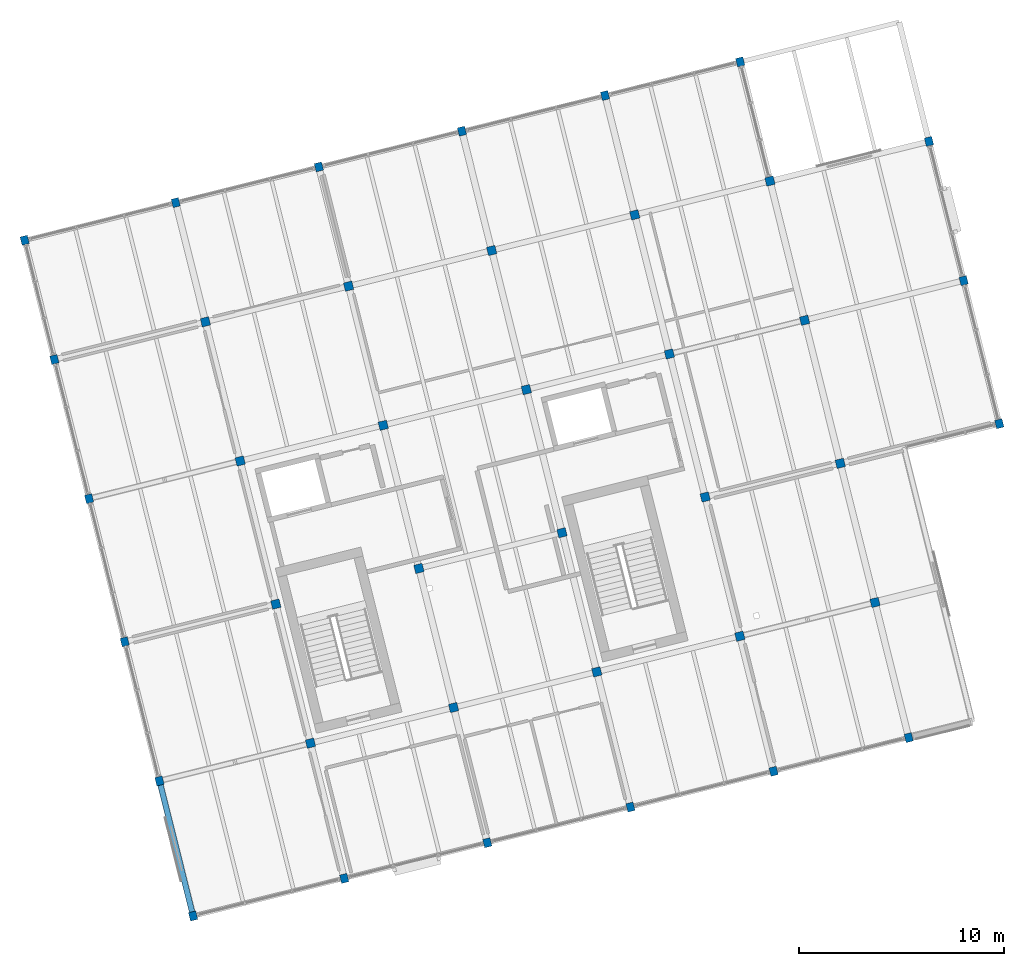
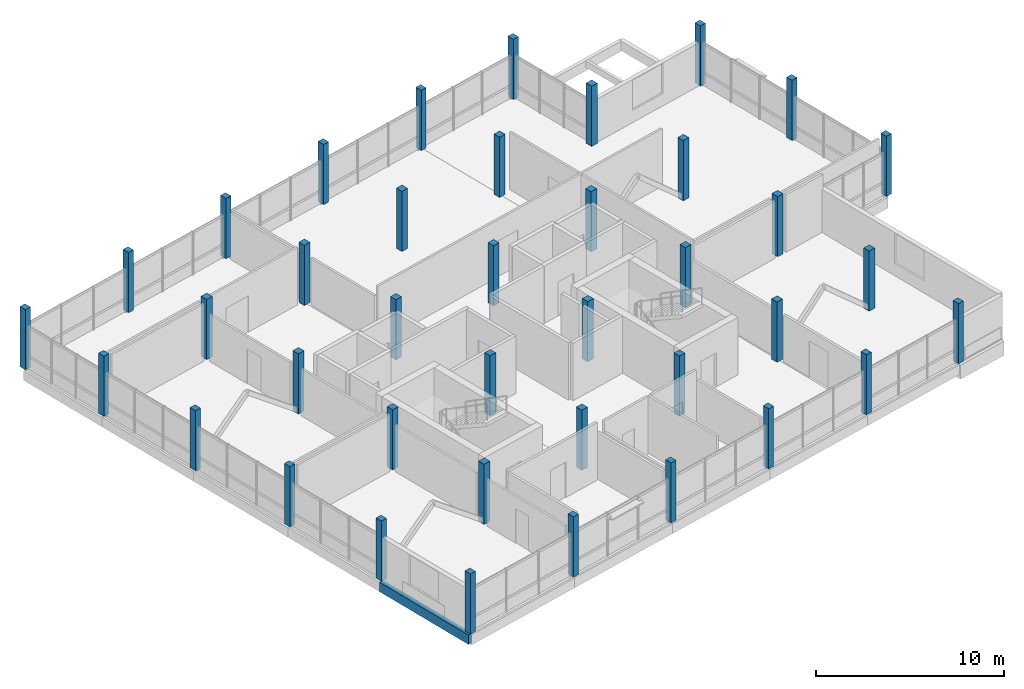
# One storey, part 1 of 27: 39 columns, 1 beam.
"""IFC4 building model written with IfcOpenShell, lengths in metres."""

import ifcopenshell
import ifcopenshell.guid

model = None  # the IFC model being written
_history = None  # IfcOwnerHistory: only IFC2X3 demands one
_inside = {}  # id of a spatial element -> (the spatial element, [elements in it])
_under = {}  # id of a project, library or spatial element -> (it, [spatial elements below it])
_declared = {}  # id of a project -> (the project, [libraries it declares])
_typed = {}  # id of a type object -> (the type object, [elements of that type])
_made_of = {}  # id of a material, layer set ... -> (it, [elements and type objects made of it])


def new_model(schema):
    """Start an empty IFC model of exactly this schema.

    Asked for "IFC4X3", IfcOpenShell would pick the latest addendum, in which some entities
    have other attributes; the version numbers below select the first issue.
    IFC2X3 requires an IfcOwnerHistory on every rooted entity: one is made here for all.
    """
    global model, _history
    if schema == "IFC4X3":
        model = ifcopenshell.file(schema_version=(4, 3, 0, 0))
    else:
        model = ifcopenshell.file(schema=schema)
    _inside.clear()
    _under.clear()
    _declared.clear()
    _typed.clear()
    _made_of.clear()
    _history = None
    if model.schema == "IFC2X3":
        org = make("IfcOrganization", Name="unknown")
        user = make(
            "IfcPersonAndOrganization",
            ThePerson=make("IfcPerson", FamilyName="unknown"),
            TheOrganization=org,
        )
        app = make(
            "IfcApplication",
            ApplicationDeveloper=org,
            Version="unknown",
            ApplicationFullName="unknown",
            ApplicationIdentifier="unknown",
        )
        _history = make(
            "IfcOwnerHistory",
            OwningUser=user,
            OwningApplication=app,
            ChangeAction="ADDED",
            CreationDate=0,
        )
    return model


def make(cls, **values):
    """One entity of the class cls with the attributes given. An attribute that is None is left unset."""
    return model.create_entity(
        cls, **{name: value for name, value in values.items() if value is not None}
    )


def rooted(cls, **values):
    """An entity with a GlobalId (a new one), such as an element, a storey or a relation."""
    return make(cls, GlobalId=ifcopenshell.guid.new(), OwnerHistory=_history, **values)


def si_unit(unit_type, name, prefix=None):
    """IfcSIUnit, for example si_unit("LENGTHUNIT", "METRE", prefix="MILLI")."""
    return make("IfcSIUnit", UnitType=unit_type, Prefix=prefix, Name=name)


def assignment(units):
    """IfcUnitAssignment: the units of a project."""
    return None if units is None else make("IfcUnitAssignment", Units=units)


def point(xyz):
    """IfcCartesianPoint."""
    return None if xyz is None else make("IfcCartesianPoint", Coordinates=xyz)


def direction(xyz):
    """IfcDirection."""
    return None if xyz is None else make("IfcDirection", DirectionRatios=xyz)


def frame(location, z_axis=None, x_axis=None):
    """IfcAxis2Placement3D, a coordinate frame: its origin and axes. An axis left out is left unset."""
    return make(
        "IfcAxis2Placement3D",
        Location=point(location),
        Axis=direction(z_axis),
        RefDirection=direction(x_axis),
    )


def frame_2d(location, x_axis=None):
    """IfcAxis2Placement2D, a coordinate frame in the plane: its origin and x axis."""
    return make(
        "IfcAxis2Placement2D", Location=point(location), RefDirection=direction(x_axis)
    )


def origin():
    """The frame at (0, 0, 0) with its axes left unset."""
    return frame((0.0, 0.0, 0.0))


def origin_2d():
    """The frame at (0, 0) in the plane with its x axis left unset."""
    return frame_2d((0.0, 0.0))


def place(relative_to, where):
    """IfcLocalPlacement: puts the frame where relative to a parent placement (None: the world)."""
    return make(
        "IfcLocalPlacement", PlacementRelTo=relative_to, RelativePlacement=where
    )


def context(
    kind, dimensions, precision=None, world=None, true_north=None, identifier=None
):
    """IfcGeometricRepresentationContext, for example the 3D "Model" context."""
    return make(
        "IfcGeometricRepresentationContext",
        ContextIdentifier=identifier,
        ContextType=kind,
        CoordinateSpaceDimension=dimensions,
        Precision=precision,
        WorldCoordinateSystem=world,
        TrueNorth=true_north,
    )


def subcontext(parent, identifier, kind, view, scale=None):
    """IfcGeometricRepresentationSubContext, for example "Body" below "Model"."""
    return make(
        "IfcGeometricRepresentationSubContext",
        ContextIdentifier=identifier,
        ContextType=kind,
        ParentContext=parent,
        TargetScale=scale,
        TargetView=view,
    )


def project(units=None, contexts=None):
    """IfcProject with its units and contexts."""
    return rooted(
        "IfcProject",
        Name="project",
        RepresentationContexts=contexts,
        UnitsInContext=assignment(units),
    )


def spatial(cls, under=None, at=None, **own):
    """A site, building, storey or space (cls), placed at a placement, below another one or the project."""
    s = rooted(cls, ObjectPlacement=at, **own)
    if under is not None:
        _under.setdefault(under.id(), (under, []))[1].append(s)
    return s


def profile(cls, at=None, kind="AREA", **sizes):
    """A parametric profile (cls). Its sizes go by their IFC names, for example OverallWidth=200.0."""
    return make(cls, ProfileType=kind, Position=at, **sizes)


def rectangle(**sizes):
    """IfcRectangleProfileDef."""
    return profile("IfcRectangleProfileDef", **sizes)


def extrude(swept, where, along, depth):
    """IfcExtrudedAreaSolid: the profile swept, set in the frame where, extruded along a direction by depth."""
    return make(
        "IfcExtrudedAreaSolid",
        SweptArea=swept,
        Position=where,
        ExtrudedDirection=direction(along),
        Depth=depth,
    )


def shape(context_of_items, identifier, shape_type, items):
    """IfcShapeRepresentation: the items that make up one representation, for example the "Body"."""
    return make(
        "IfcShapeRepresentation",
        ContextOfItems=context_of_items,
        RepresentationIdentifier=identifier,
        RepresentationType=shape_type,
        Items=items,
    )


def material(Name=None, Category=None):
    """IfcMaterial."""
    return make("IfcMaterial", Name=Name, Category=Category)


def material_profile(
    of_material, cross_section, Name=None, Category=None, Priority=None
):
    """IfcMaterialProfile: a cross section and its material."""
    return make(
        "IfcMaterialProfile",
        Name=Name,
        Material=of_material,
        Profile=cross_section,
        Priority=Priority,
        Category=Category,
    )


def profile_set(profiles, Name=None, composite=None):
    """IfcMaterialProfileSet."""
    return make(
        "IfcMaterialProfileSet",
        Name=Name,
        MaterialProfiles=profiles,
        CompositeProfile=composite,
    )


def made_of(thing, what):
    """Note that an element or type object is made of a material, layer set ...; save() writes the relation."""
    if what is not None:
        _made_of.setdefault(what.id(), (what, []))[1].append(thing)
    return thing


def type_object(cls, material=None, **own):
    """A type object (cls), such as IfcWallType, which elements share."""
    return made_of(rooted(cls, **own), material)


def element(
    cls,
    number,
    at=None,
    inside=None,
    cuts=None,
    type_object=None,
    material=None,
    context=None,
    identifier="Body",
    shape_type=None,
    held_by="IfcProductDefinitionShape",
    body=None,
    shapes=None,
    **own,
):
    """One element of the class cls, such as IfcWall. Its Tag is "e" and its number.

    at: its placement. inside: the storey or other place that contains it. cuts: it is an
    opening in that element (IfcRelVoidsElement). A single representation is given by context,
    identifier, shape_type and body (its items); several are given by shapes. held_by: the class
    of the entity that holds the representations. save() writes the other relations.
    """
    e = rooted(cls, Tag="e%d" % number, ObjectPlacement=at, **own)
    if body is not None:
        shapes = [shape(context, identifier, shape_type, body)]
    if shapes is not None:
        e.Representation = make(held_by, Representations=shapes)
    if inside is not None:
        _inside.setdefault(inside.id(), (inside, []))[1].append(e)
    if cuts is not None:
        rooted(
            "IfcRelVoidsElement", RelatingBuildingElement=cuts, RelatedOpeningElement=e
        )
    if type_object is not None:
        _typed.setdefault(type_object.id(), (type_object, []))[1].append(e)
    return made_of(e, material)


def aggregate(whole, parts):
    """IfcRelAggregates: a whole, such as a stair, and the parts it consists of."""
    return rooted("IfcRelAggregates", RelatingObject=whole, RelatedObjects=parts)


def save(model, path):
    """Write the relations noted so far, then the file.

    IfcRelAggregates (storeys below a building ...), IfcRelContainedInSpatialStructure (elements
    in a storey), IfcRelDefinesByType, IfcRelAssociatesMaterial and IfcRelDeclares: one each for
    every whole, place, type object, material and project.
    """
    for whole, parts in _under.values():
        aggregate(whole, parts)
    for where, things in _inside.values():
        rooted(
            "IfcRelContainedInSpatialStructure",
            RelatedElements=things,
            RelatingStructure=where,
        )
    for kind, things in _typed.values():
        rooted("IfcRelDefinesByType", RelatedObjects=things, RelatingType=kind)
    for what, things in _made_of.values():
        rooted("IfcRelAssociatesMaterial", RelatedObjects=things, RelatingMaterial=what)
    for by, libraries in _declared.values():
        rooted("IfcRelDeclares", RelatingContext=by, RelatedDefinitions=libraries)
    model.write(path)


model = new_model("IFC4")

# Units and contexts
model_context = context("Model", 3, precision=1e-05, world=origin(), true_north=direction((0.0, 1.0)))
body_context = subcontext(model_context, "Body", "Model", "MODEL_VIEW")
ifc_project = project(units=[si_unit("LENGTHUNIT", "METRE"), si_unit("AREAUNIT", "SQUARE_METRE"), si_unit("VOLUMEUNIT", "CUBIC_METRE"), si_unit("PLANEANGLEUNIT", "RADIAN"), si_unit("MASSUNIT", "GRAM", prefix="KILO")], contexts=[model_context])

# Site, building, storey
site_placement = place(None, origin())
site = spatial("IfcSite", under=ifc_project, at=site_placement, CompositionType="ELEMENT")
building_placement = place(site_placement, origin())
building = spatial("IfcBuilding", under=site, at=building_placement, Name="Meriwether Solvik Hall", CompositionType="ELEMENT")
storey_placement = place(building_placement, frame((0.0, 0.0, 33.89990234375)))
storey = spatial("IfcBuildingStorey", under=building, at=storey_placement, Name="L08", CompositionType="ELEMENT", Elevation=33.89990234375)

# Columns
ifc_material_1 = material(Name="Glulam Douglas-Fir L2 GL28c", Category="wood")
ifc_material_profile_1 = material_profile(ifc_material_1, rectangle(XDim=0.364990234375, YDim=0.419921875, at=origin_2d()), Name="GLC-365X420")
ifc_profile_set_1 = profile_set([ifc_material_profile_1], Name="Glulam Douglas-Fir L2 GL28c")
column_type_1 = type_object("IfcColumnType", Name="COL-GL-365X420", PredefinedType="COLUMN", material=ifc_profile_set_1)
for number, where, z_axis, x_axis, name in (
    (1, (68.60009765625, 41.199951171875, 0.0), (0.0, 0.0, 1.0), (0.970295726276, 0.2419218956, 0.0), "Tower Column T1/TA (L08)"),
    (2, (66.954833984375, 47.798095703125, 0.0), (0.0, 0.0, 1.0), (0.970295726276, 0.2419218956, 0.0), "Tower Column T1/TB (L08)"),
    (3, (65.261474609375, 54.590087890625, 0.0), (0.0, 0.0, 1.0), (0.970295726276, 0.2419218956, 0.0), "Tower Column T1/TC (L08)"),
    (4, (63.51953125, 61.576171875, 0.0), (0.0, 0.0, 1.0), (0.970295726276, 0.2419218956, 0.0), "Tower Column T1/TD (L08)"),
    (5, (61.826171875, 68.3681640625, 0.0), (0.0, 0.0, 1.0), (0.970295726276, 0.2419218956, 0.0), "Tower Column T1/TE (L08)"),
    (6, (60.374755859375, 74.18994140625, 0.0), (0.0, 0.0, 1.0), (0.970295726276, 0.2419218956, 0.0), "Tower Column T1/TF (L08)"),
    (7, (75.974365234375, 43.03857421875, 0.0), (0.0, 0.0, 1.0), (0.970295726276, 0.2419218956, 0.0), "Tower Column T2/TA (L08)"),
    (8, (67.7490234375, 76.028564453125, 0.0), (0.0, 0.0, 1.0), (0.970295726276, 0.2419218956, 0.0), "Tower Column T2/TF (L08)"),
    (9, (82.96044921875, 44.780517578125, 0.0), (0.0, 0.0, 1.0), (0.970295726276, 0.2419218956, 0.0), "Tower Column T3/TA (L08)"),
    (10, (74.735107421875, 77.7705078125, 0.0), (0.0, 0.0, 1.0), (0.970295726276, 0.2419218956, 0.0), "Tower Column T3/TF (L08)"),
    (11, (89.946533203125, 46.522216796875, 0.0), (0.0, 0.0, 1.0), (0.970295726276, 0.2419218956, 0.0), "Tower Column T4/TA (L08)"),
    (12, (81.72119140625, 79.512451171875, 0.0), (0.0, 0.0, 1.0), (0.970295726276, 0.2419218956, 0.0), "Tower Column T4/TF (L08)"),
    (13, (96.9326171875, 48.26416015625, 0.0), (0.0, 0.0, 1.0), (0.970295726276, 0.2419218956, 0.0), "Tower Column T5/TA (L08)"),
    (14, (88.707275390625, 81.254150390625, 0.0), (0.0, 0.0, 1.0), (0.970295726276, 0.2419218956, 0.0), "Tower Column T5/TF (L08)"),
    (15, (103.53076171875, 49.9091796875, 0.0), (0.0, 0.0, 1.0), (0.970295726276, 0.2419218956, 0.0), "Tower Column T6/TA (L08)"),
    (16, (95.305419921875, 82.899169921875, 0.0), (0.0, 0.0, 1.0), (0.970295726276, 0.2419218956, 0.0), "Tower Column T6/TF (L08)"),
    (17, (107.95458984375, 65.234619140625, 0.0), (0.0, 0.0, 1.0), (0.970295726276, 0.2419218956, 0.0), "Tower Column T7/TC (L08)"),
    (18, (106.212646484375, 72.220703125, 0.0), (0.0, 0.0, 1.0), (0.970295726276, 0.2419218956, 0.0), "Tower Column T7/TD (L08)"),
    (19, (104.519287109375, 79.012939453125, 0.0), (0.0, 0.0, 1.0), (0.970295726276, 0.2419218956, 0.0), "Tower Column T7/TE (L08)"),
):
    element("IfcColumn", number, at=place(storey_placement, frame(where, z_axis=z_axis, x_axis=x_axis)), inside=storey, type_object=column_type_1, Name=name, PredefinedType="COLUMN", context=body_context, shape_type="SweptSolid", body=[
        extrude(rectangle(XDim=0.364990234375, YDim=0.419921875, at=origin_2d()), origin(), (0.0, 0.0, 1.0), 3.900146484375),
    ])
ifc_material_2 = material(Name="Glulam Douglas-Fir L2 GL28c", Category="wood")
ifc_material_profile_2 = material_profile(ifc_material_2, rectangle(XDim=0.419921875, YDim=0.419921875, at=origin_2d()), Name="GLC-420X420")
ifc_profile_set_2 = profile_set([ifc_material_profile_2], Name="Glulam Douglas-Fir L2 GL28c")
column_type_2 = type_object("IfcColumnType", Name="COL-GL-420X420", PredefinedType="COLUMN", material=ifc_profile_set_2)
for number, where, z_axis, x_axis, name in (
    (20, (74.3291015625, 49.63671875, 0.0), (0.0, 0.0, 1.0), (0.970295726276, 0.2419218956, 0.0), "Tower Column T2/TB (L08)"),
    (21, (72.6357421875, 56.4287109375, 0.0), (0.0, 0.0, 1.0), (0.970295726276, 0.2419218956, 0.0), "Tower Column T2/TC (L08)"),
    (22, (70.893798828125, 63.414794921875, 0.0), (0.0, 0.0, 1.0), (0.970295726276, 0.2419218956, 0.0), "Tower Column T2/TD (L08)"),
    (23, (69.200439453125, 70.206787109375, 0.0), (0.0, 0.0, 1.0), (0.970295726276, 0.2419218956, 0.0), "Tower Column T2/TE (L08)"),
    (24, (81.3154296875, 51.37841796875, 0.0), (0.0, 0.0, 1.0), (0.970295726276, 0.2419218956, 0.0), "Tower Column T3/TB (L08)"),
    (25, (79.621826171875, 58.17041015625, 0.0), (0.0, 0.0, 1.0), (0.970295726276, 0.2419218956, 0.0), "Tower Column T3/TC (L08)"),
    (26, (77.880126953125, 65.15673828125, 0.0), (0.0, 0.0, 1.0), (0.970295726276, 0.2419218956, 0.0), "Tower Column T3/TD (L08)"),
    (27, (76.1865234375, 71.94873046875, 0.0), (0.0, 0.0, 1.0), (0.970295726276, 0.2419218956, 0.0), "Tower Column T3/TE (L08)"),
    (28, (88.301513671875, 53.120361328125, 0.0), (0.0, 0.0, 1.0), (0.970295726276, 0.2419218956, 0.0), "Tower Column T4/TB (L08)"),
    (29, (86.60791015625, 59.912353515625, 0.0), (0.0, 0.0, 1.0), (0.970295726276, 0.2419218956, 0.0), "Tower Column T4/TC (L08)"),
    (30, (84.8662109375, 66.8984375, 0.0), (0.0, 0.0, 1.0), (0.970295726276, 0.2419218956, 0.0), "Tower Column T4/TD (L08)"),
    (31, (83.172607421875, 73.690673828125, 0.0), (0.0, 0.0, 1.0), (0.970295726276, 0.2419218956, 0.0), "Tower Column T4/TE (L08)"),
    (32, (95.28759765625, 54.862060546875, 0.0), (0.0, 0.0, 1.0), (0.970295726276, 0.2419218956, 0.0), "Tower Column T5/TB (L08)"),
    (33, (93.593994140625, 61.654296875, 0.0), (0.0, 0.0, 1.0), (0.970295726276, 0.2419218956, 0.0), "Tower Column T5/TC (L08)"),
    (34, (91.852294921875, 68.640380859375, 0.0), (0.0, 0.0, 1.0), (0.970295726276, 0.2419218956, 0.0), "Tower Column T5/TD (L08)"),
    (35, (90.158935546875, 75.432373046875, 0.0), (0.0, 0.0, 1.0), (0.970295726276, 0.2419218956, 0.0), "Tower Column T5/TE (L08)"),
    (36, (101.885498046875, 56.507080078125, 0.0), (0.0, 0.0, 1.0), (0.970295726276, 0.2419218956, 0.0), "Tower Column T6/TB (L08)"),
    (37, (100.192138671875, 63.29931640625, 0.0), (0.0, 0.0, 1.0), (0.970295726276, 0.2419218956, 0.0), "Tower Column T6/TC (L08)"),
    (38, (98.4501953125, 70.285400390625, 0.0), (0.0, 0.0, 1.0), (0.970295726276, 0.2419218956, 0.0), "Tower Column T6/TD (L08)"),
    (39, (96.7568359375, 77.077392578125, 0.0), (0.0, 0.0, 1.0), (0.970295726276, 0.2419218956, 0.0), "Tower Column T6/TE (L08)"),
):
    element("IfcColumn", number, at=place(storey_placement, frame(where, z_axis=z_axis, x_axis=x_axis)), inside=storey, type_object=column_type_2, Name=name, PredefinedType="COLUMN", context=body_context, shape_type="SweptSolid", body=[
        extrude(rectangle(XDim=0.419921875, YDim=0.419921875, at=origin_2d()), origin(), (0.0, 0.0, 1.0), 3.900146484375),
    ])

# Beam
ifc_material_3 = material(Name="Glulam Douglas-Fir 24F-V8 GL28h", Category="wood")
ifc_material_profile_3 = material_profile(ifc_material_3, rectangle(XDim=0.27294921875, YDim=0.610107421875, at=origin_2d()), Name="GLB-273X610")
ifc_profile_set_3 = profile_set([ifc_material_profile_3], Name="Glulam Douglas-Fir 24F-V8 GL28h")
beam_type = type_object("IfcBeamType", Name="BM-GL-273X610", PredefinedType="SPANDREL", material=ifc_profile_set_3)
beam_placement = place(storey_placement, frame((68.60009765625, 41.199951171875, -0.48486328125), z_axis=(-0.241944251278, 0.970290152106, 0.0), x_axis=(-0.970290152106, -0.241944251278, 0.0)))
element("IfcBeam", 40, at=beam_placement, inside=storey, type_object=beam_type, Name="Tower Girder T1:TA-TB (L08)", PredefinedType="SPANDREL", context=body_context, shape_type="SweptSolid", body=[
    extrude(rectangle(XDim=0.27294921875, YDim=0.610107421875, at=origin_2d()), origin(), (0.0, 0.0, 1.0), 6.80029296875),
])

save(model, "model.ifc")
